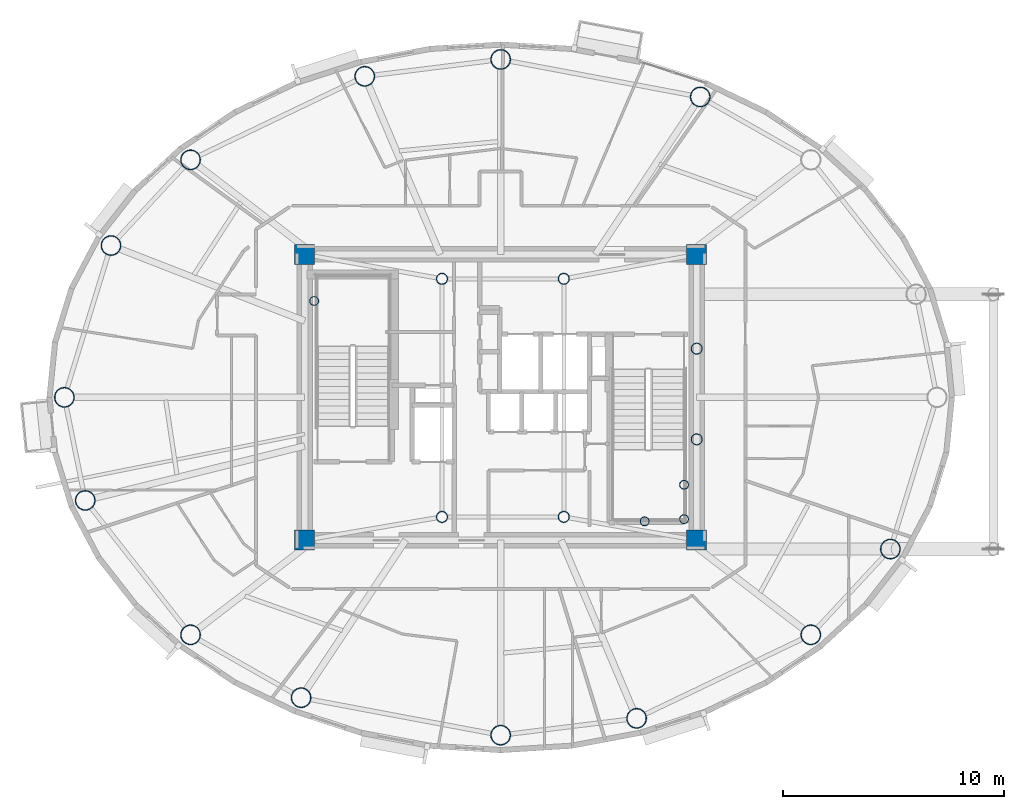
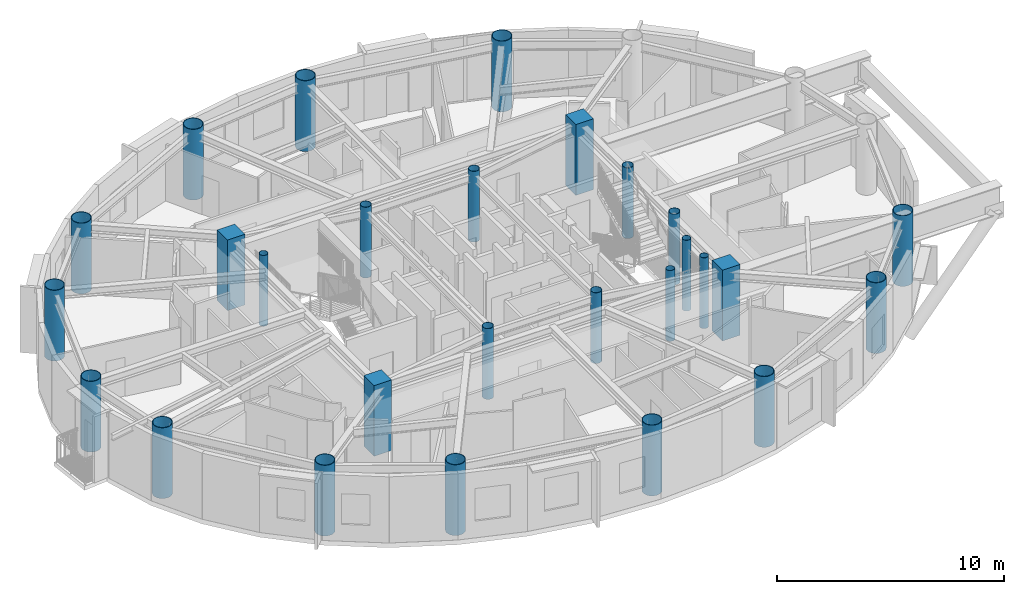
# One storey, part 1 of 17: 27 columns.
"""IFC4 building model written with IfcOpenShell, lengths in metres."""

from ifc_helpers import new_model, si_unit, direction, frame, origin, origin_2d, place, context, subcontext, project, spatial, rectangle, hollow_circle, extrude, material, material_profile, profile_set, type_object, element, save


model = new_model("IFC4")

# Units and contexts
model_context = context("Model", 3, precision=1e-05, world=origin(), true_north=direction((0.0, 1.0)))
body_context = subcontext(model_context, "Body", "Model", "MODEL_VIEW")
ifc_project = project(units=[si_unit("LENGTHUNIT", "METRE"), si_unit("AREAUNIT", "SQUARE_METRE"), si_unit("VOLUMEUNIT", "CUBIC_METRE"), si_unit("PLANEANGLEUNIT", "RADIAN"), si_unit("MASSUNIT", "GRAM", prefix="KILO")], contexts=[model_context])

# Site, building, storey
site_placement = place(None, origin())
site = spatial("IfcSite", under=ifc_project, at=site_placement, CompositionType="ELEMENT")
building_placement = place(site_placement, origin())
building = spatial("IfcBuilding", under=site, at=building_placement, Name="Linh Dai School and Residence Tower", CompositionType="ELEMENT")
storey_placement = place(building_placement, frame((0.0, 0.0, 335.39990234375)))
storey = spatial("IfcBuildingStorey", under=building, at=storey_placement, Name="L83", CompositionType="ELEMENT", Elevation=335.39990234375)

# Columns
ifc_material_1 = material(Name="Concrete B45 (C35/45)", Category="concrete")
ifc_material_profile_1 = material_profile(ifc_material_1, rectangle(XDim=0.89990234375, YDim=0.89990234375, at=origin_2d()), Name="RC 900x900")
ifc_profile_set_1 = profile_set([ifc_material_profile_1], Name="Concrete B45 (C35/45)")
column_type_1 = type_object("IfcColumnType", Name="COL-CC4", PredefinedType="COLUMN", material=ifc_profile_set_1)
for number, where, z_axis, x_axis, name in (
    (1, (27.14990234375, 20.550048828125, 0.0), (0.0, 0.0, 1.0), (1.0, 0.0, 0.0), "L83 Core Corner Pier CC1"),
    (2, (44.85009765625, 20.550048828125, 0.0), (0.0, 0.0, 1.0), (1.0, 0.0, 0.0), "L83 Core Corner Pier CC2"),
    (3, (44.85009765625, 33.449951171875, 0.0), (0.0, 0.0, 1.0), (1.0, 0.0, 0.0), "L83 Core Corner Pier CC3"),
    (4, (27.14990234375, 33.449951171875, 0.0), (0.0, 0.0, 1.0), (1.0, 0.0, 0.0), "L83 Core Corner Pier CC4"),
):
    element("IfcColumn", number, at=place(storey_placement, frame(where, z_axis=z_axis, x_axis=x_axis)), inside=storey, type_object=column_type_1, Name=name, PredefinedType="COLUMN", context=body_context, shape_type="SweptSolid", body=[
        extrude(rectangle(XDim=0.89990234375, YDim=0.89990234375, at=origin_2d()), origin(), (0.0, 0.0, 1.0), 3.800048828125),
    ])
ifc_material_2 = material(Name="Structural Steel S355JR", Category="steel")
ifc_material_profile_2 = material_profile(ifc_material_2, hollow_circle(Radius=0.203125, WallThickness=0.01611328125, at=origin_2d()), Name="CHS 406.4x16")
ifc_profile_set_2 = profile_set([ifc_material_profile_2], Name="Structural Steel S355JR")
column_type_2 = type_object("IfcColumnType", Name="COL-EC", PredefinedType="COLUMN", material=ifc_profile_set_2)
for number, where, z_axis, x_axis, name in (
    (5, (27.580078125, 31.35009765625, 0.0), (0.0, 0.0, 1.0), (1.0, 0.0, 0.0), "L83 Stair Shaft Landing Support Pier ST1NW"),
    (6, (44.280029296875, 21.5, 0.0), (0.0, 0.0, 1.0), (1.0, 0.0, 0.0), "L83 Stair Shaft Landing Support Pier ST2SE"),
    (7, (44.280029296875, 23.050048828125, 0.0), (0.0, 0.0, 1.0), (1.0, 0.0, 0.0), "L83 Stair Shaft Landing Support Pier ST2NE"),
    (8, (42.5, 21.39990234375, 0.0), (0.0, 0.0, 1.0), (1.0, 0.0, 0.0), "L83 Stair Shaft Landing Support Pier ST2MS"),
):
    element("IfcColumn", number, at=place(storey_placement, frame(where, z_axis=z_axis, x_axis=x_axis)), inside=storey, type_object=column_type_2, Name=name, PredefinedType="COLUMN", context=body_context, shape_type="SweptSolid", body=[
        extrude(hollow_circle(Radius=0.203125, WallThickness=0.01611328125, at=origin_2d()), origin(), (0.0, 0.0, 1.0), 3.800048828125),
    ])
ifc_material_profile_3 = material_profile(ifc_material_2, hollow_circle(Radius=0.449951171875, WallThickness=0.028076171875, at=origin_2d()), Name="CHS 900x28")
ifc_profile_set_3 = profile_set([ifc_material_profile_3], Name="Structural Steel S355JR")
column_type_3 = type_object("IfcColumnType", Name="COL-MC7", PredefinedType="COLUMN", material=ifc_profile_set_3)
for number, where, z_axis, x_axis, name in (
    (9, (45.01025390625, 40.56201171875, 0.0), (0.0, 0.0, 1.0), (1.0, 0.0, 0.0), "L83 Perimeter CFT Mega-Column MC04"),
    (10, (36.0, 42.2548828125, 0.0), (0.0, 0.0, 1.0), (1.0, 0.0, 0.0), "L83 Perimeter CFT Mega-Column MC05"),
    (11, (29.862548828125, 41.493896484375, 0.0), (0.0, 0.0, 1.0), (1.0, 0.0, 0.0), "L83 Perimeter CFT Mega-Column MC06"),
    (12, (21.99755859375, 37.72265625, 0.0), (0.0, 0.0, 1.0), (1.0, 0.0, 0.0), "L83 Perimeter CFT Mega-Column MC07"),
    (13, (18.405029296875, 33.8525390625, 0.0), (0.0, 0.0, 1.0), (1.0, 0.0, 0.0), "L83 Perimeter CFT Mega-Column MC08"),
    (14, (16.300048828125, 27.0, 0.0), (0.0, 0.0, 1.0), (1.0, 0.0, 0.0), "L83 Perimeter CFT Mega-Column MC09"),
    (15, (17.2421875, 22.34521484375, 0.0), (0.0, 0.0, 1.0), (1.0, 0.0, 0.0), "L83 Perimeter CFT Mega-Column MC10"),
    (16, (21.99755859375, 16.27734375, 0.0), (0.0, 0.0, 1.0), (1.0, 0.0, 0.0), "L83 Perimeter CFT Mega-Column MC11"),
    (17, (26.98974609375, 13.43798828125, 0.0), (0.0, 0.0, 1.0), (1.0, 0.0, 0.0), "L83 Perimeter CFT Mega-Column MC12"),
    (18, (36.0, 11.7451171875, 0.0), (0.0, 0.0, 1.0), (1.0, 0.0, 0.0), "L83 Perimeter CFT Mega-Column MC13"),
    (19, (42.137451171875, 12.506103515625, 0.0), (0.0, 0.0, 1.0), (1.0, 0.0, 0.0), "L83 Perimeter CFT Mega-Column MC14"),
    (20, (50.00244140625, 16.27734375, 0.0), (0.0, 0.0, 1.0), (1.0, 0.0, 0.0), "L83 Perimeter CFT Mega-Column MC15"),
    (21, (53.594970703125, 20.1474609375, 0.0), (0.0, 0.0, 1.0), (1.0, 0.0, 0.0), "L83 Perimeter CFT Mega-Column MC16"),
):
    element("IfcColumn", number, at=place(storey_placement, frame(where, z_axis=z_axis, x_axis=x_axis)), inside=storey, type_object=column_type_3, Name=name, PredefinedType="COLUMN", context=body_context, shape_type="SweptSolid", body=[
        extrude(hollow_circle(Radius=0.449951171875, WallThickness=0.028076171875, at=origin_2d()), origin(), (0.0, 0.0, 1.0), 3.800048828125),
    ])
ifc_material_profile_4 = material_profile(ifc_material_2, hollow_circle(Radius=0.25390625, WallThickness=0.02001953125, at=origin_2d()), Name="CHS 508x20")
ifc_profile_set_4 = profile_set([ifc_material_profile_4], Name="Structural Steel S355JR")
column_type_4 = type_object("IfcColumnType", Name="COL-MCP", PredefinedType="COLUMN", material=ifc_profile_set_4)
for number, where, z_axis, x_axis, name in (
    (22, (33.35009765625, 21.60009765625, 0.0), (0.0, 0.0, 1.0), (1.0, 0.0, 0.0), "L83 Core Mast Support Pier MCP1"),
    (23, (38.85009765625, 21.60009765625, 0.0), (0.0, 0.0, 1.0), (1.0, 0.0, 0.0), "L83 Core Mast Support Pier MCP2"),
    (24, (38.85009765625, 32.35009765625, 0.0), (0.0, 0.0, 1.0), (1.0, 0.0, 0.0), "L83 Core Mast Support Pier MCP3"),
    (25, (33.35009765625, 32.35009765625, 0.0), (0.0, 0.0, 1.0), (1.0, 0.0, 0.0), "L83 Core Mast Support Pier MCP4"),
    (26, (44.85009765625, 25.10009765625, 0.0), (0.0, 0.0, 1.0), (1.0, 0.0, 0.0), "L83 Sky-Lounge Core Anchor Pier S"),
    (27, (44.85009765625, 29.199951171875, 0.0), (0.0, 0.0, 1.0), (1.0, 0.0, 0.0), "L83 Sky-Lounge Core Anchor Pier N"),
):
    element("IfcColumn", number, at=place(storey_placement, frame(where, z_axis=z_axis, x_axis=x_axis)), inside=storey, type_object=column_type_4, Name=name, PredefinedType="COLUMN", context=body_context, shape_type="SweptSolid", body=[
        extrude(hollow_circle(Radius=0.25390625, WallThickness=0.02001953125, at=origin_2d()), origin(), (0.0, 0.0, 1.0), 3.800048828125),
    ])

save(model, "model.ifc")
